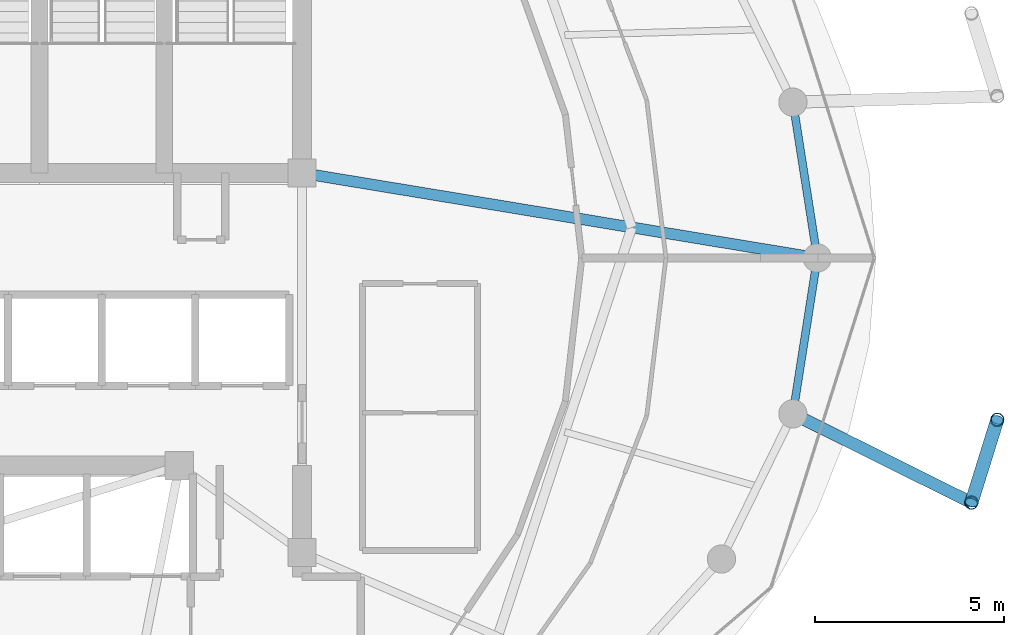
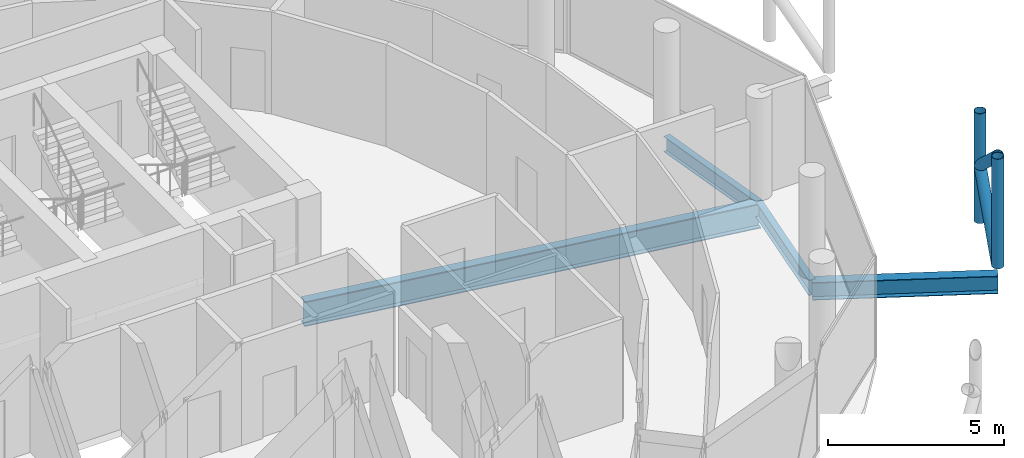
# One storey, part 11 of 24: 4 beams, 4 members.
"""IFC4 building model written with IfcOpenShell, lengths in metres."""

from ifc_helpers import new_model, si_unit, direction, frame, origin, origin_2d, place, context, subcontext, project, spatial, hollow_circle, i_section, extrude, material, material_profile, profile_set, type_object, element, save


model = new_model("IFC4")

# Units and contexts
model_context = context("Model", 3, precision=1e-05, world=origin(), true_north=direction((0.0, 1.0)))
body_context = subcontext(model_context, "Body", "Model", "MODEL_VIEW")
ifc_project = project(units=[si_unit("LENGTHUNIT", "METRE"), si_unit("AREAUNIT", "SQUARE_METRE"), si_unit("VOLUMEUNIT", "CUBIC_METRE"), si_unit("PLANEANGLEUNIT", "RADIAN"), si_unit("MASSUNIT", "GRAM", prefix="KILO")], contexts=[model_context])

# Site, building, storey
site_placement = place(None, origin())
site = spatial("IfcSite", under=ifc_project, at=site_placement, CompositionType="ELEMENT")
building_placement = place(site_placement, origin())
building = spatial("IfcBuilding", under=site, at=building_placement, Name="Nuhasar Tower", CompositionType="ELEMENT")
storey_placement = place(building_placement, frame((0.0, 0.0, 274.60009765625)))
storey = spatial("IfcBuildingStorey", under=building, at=storey_placement, Name="L68", CompositionType="ELEMENT", Elevation=274.60009765625)

# Beams
ifc_material_1 = material(Name="Steel S355", Category="steel")
ifc_material_profile_1 = material_profile(ifc_material_1, i_section(OverallWidth=0.2919921875, OverallDepth=0.85888671875, WebThickness=0.01708984375, FlangeThickness=0.031005859375, at=origin_2d()), Name="W33X169")
ifc_profile_set_1 = profile_set([ifc_material_profile_1], Name="Steel S355")
beam_type_1 = type_object("IfcBeamType", Name="BM-POD-W33X169", PredefinedType="BEAM", material=ifc_profile_set_1)
beam_1_placement = place(storey_placement, frame((44.300048828125, 29.050048828125, -0.690185546875), z_axis=(0.986685215874, -0.162641583786, 0.0), x_axis=(0.162641583786, 0.986685215874, 0.0)))
element("IfcBeam", 1, at=beam_1_placement, inside=storey, type_object=beam_type_1, Name="L68 Radial Floor Girder 04", PredefinedType="BEAM", context=body_context, shape_type="SweptSolid", body=[
    extrude(i_section(OverallWidth=0.2919921875, OverallDepth=0.85888671875, WebThickness=0.01708984375, FlangeThickness=0.031005859375, at=origin_2d()), origin(), (0.0, 0.0, 1.0), 13.833984375),
])
ifc_material_profile_2 = material_profile(ifc_material_1, i_section(OverallWidth=0.2099609375, OverallDepth=0.537109375, WebThickness=0.010986328125, FlangeThickness=0.017333984375, at=origin_2d()), Name="W21X68")
ifc_profile_set_2 = profile_set([ifc_material_profile_2], Name="Steel S355")
beam_type_2 = type_object("IfcBeamType", Name="BM-RING-W21X68", PredefinedType="SPANDREL", material=ifc_profile_set_2)
for number, where, z_axis, x_axis, name in (
    (2, (57.949951171875, 26.800048828125, -0.529052734375), (-0.154612165232, 0.987975241776, 0.0), (-0.987975241776, -0.154612165232, 0.0), "L68 Perimeter Ring Spandrel 01"),
    (3, (57.303955078125, 22.672119140625, -0.529052734375), (0.154612165232, 0.987975241776, 0.0), (-0.987975241776, 0.154612165232, 0.0), "L68 Perimeter Ring Spandrel 24"),
):
    element("IfcBeam", number, at=place(storey_placement, frame(where, z_axis=z_axis, x_axis=x_axis)), inside=storey, type_object=beam_type_2, Name=name, PredefinedType="SPANDREL", context=body_context, shape_type="SweptSolid", body=[
        extrude(i_section(OverallWidth=0.2099609375, OverallDepth=0.537109375, WebThickness=0.010986328125, FlangeThickness=0.017333984375, at=origin_2d()), origin(), (0.0, 0.0, 1.0), 4.17822265625),
    ])
ifc_material_profile_3 = material_profile(ifc_material_1, i_section(OverallWidth=0.323974609375, OverallDepth=0.611083984375, WebThickness=0.0126953125, FlangeThickness=0.01904296875, at=origin_2d()), Name="W24X104")
ifc_profile_set_3 = profile_set([ifc_material_profile_3], Name="Steel S355")
beam_type_3 = type_object("IfcBeamType", Name="BM-TIE-W24X104", PredefinedType="BEAM", material=ifc_profile_set_3)
beam_2_placement = place(storey_placement, frame((57.303955078125, 22.672119140625, -0.566162109375), z_axis=(0.895294451274, -0.445474853969, 0.0), x_axis=(0.445474853969, 0.895294451274, 0.0)))
element("IfcBeam", 4, at=beam_2_placement, inside=storey, type_object=beam_type_3, Name="L68 Exoskeleton Node Tie Beam 12", PredefinedType="BEAM", context=body_context, shape_type="SweptSolid", body=[
    extrude(i_section(OverallWidth=0.323974609375, OverallDepth=0.611083984375, WebThickness=0.0126953125, FlangeThickness=0.01904296875, at=origin_2d()), origin(), (0.0, 0.0, 1.0), 5.281982421875),
])

# Members
ifc_material_2 = material(Name="Steel S460", Category="steel")
ifc_material_profile_4 = material_profile(ifc_material_2, hollow_circle(Radius=0.177734375, WallThickness=0.015869140625, at=origin_2d()), Name="HSS355.6X15.9")
ifc_profile_set_4 = profile_set([ifc_material_profile_4], Name="Steel S460")
member_type = type_object("IfcMemberType", Name="EXO-BRONZE-356", PredefinedType="BRACE", material=ifc_profile_set_4)
for number, where, z_axis, x_axis, name in (
    (5, (62.032958984375, 20.319091796875, 0.0), (0.0, 0.0, 1.0), (1.0, 0.0, 0.0), "L68 Exoskeleton Chord Column EC-12A"),
    (6, (62.718017578125, 22.513916015625, 0.0), (0.0, 0.0, 1.0), (1.0, 0.0, 0.0), "L68 Exoskeleton Chord Column EC-12B"),
):
    element("IfcMember", number, at=place(storey_placement, frame(where, z_axis=z_axis, x_axis=x_axis)), inside=storey, type_object=member_type, Name=name, PredefinedType="BRACE", context=body_context, shape_type="SweptSolid", body=[
        extrude(hollow_circle(Radius=0.177734375, WallThickness=0.015869140625, at=origin_2d()), origin(), (0.0, 0.0, 1.0), 3.7998046875),
    ])
for number, where, z_axis, x_axis, name in (
    (7, (62.032958984375, 20.319091796875, 0.0), (0.229681361446, 0.735864376122, 0.636985158507), (-0.954581948223, 0.297948492404, 0.0), "L68 Bronze Diagrid Brace W1-12"),
    (8, (62.718017578125, 22.513916015625, 1.89990234375), (-0.229681361446, -0.735864376122, 0.636985158507), (0.954581948223, -0.297948492404, 0.0), "L68 Bronze Diagrid Brace W2-12"),
):
    element("IfcMember", number, at=place(storey_placement, frame(where, z_axis=z_axis, x_axis=x_axis)), inside=storey, type_object=member_type, Name=name, PredefinedType="BRACE", context=body_context, shape_type="SweptSolid", body=[
        extrude(hollow_circle(Radius=0.177734375, WallThickness=0.015869140625, at=origin_2d()), origin(), (0.0, 0.0, 1.0), 2.982666015625),
    ])

save(model, "model.ifc")
